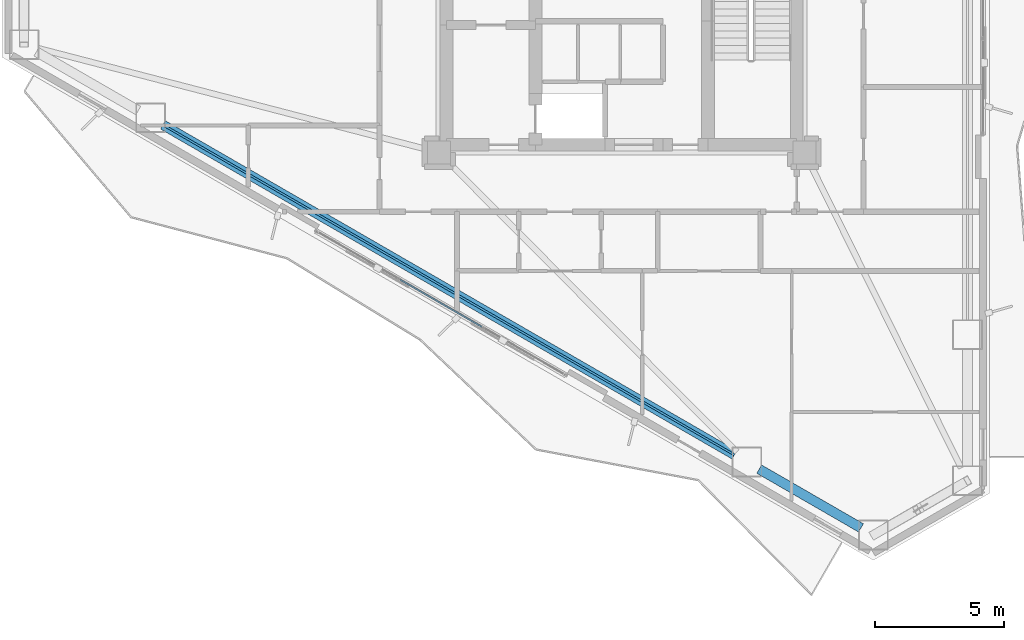
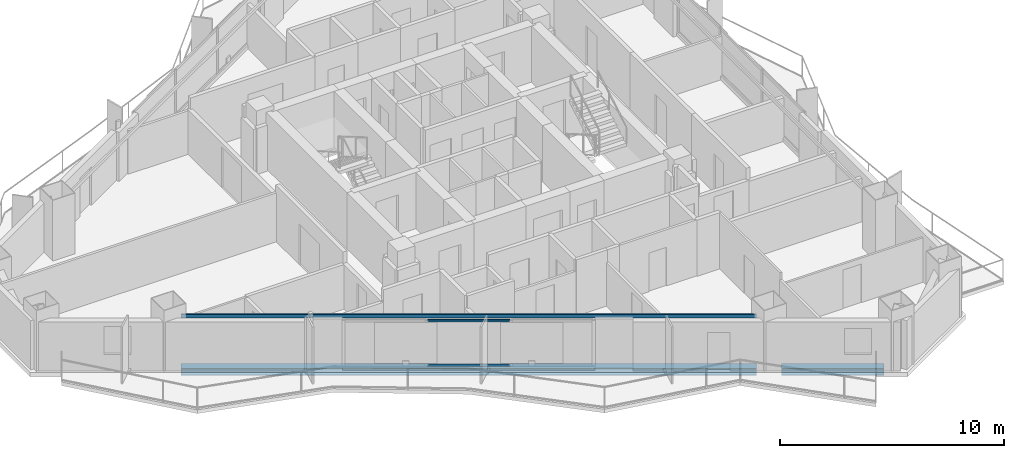
# One storey, part 3 of 22: 3 beams, 2 members, 1 element without a shape of its own.
"""IFC4 building model written with IfcOpenShell, lengths in metres."""

import ifcopenshell
import ifcopenshell.guid

model = None  # the IFC model being written
_history = None  # IfcOwnerHistory: only IFC2X3 demands one
_inside = {}  # id of a spatial element -> (the spatial element, [elements in it])
_under = {}  # id of a project, library or spatial element -> (it, [spatial elements below it])
_declared = {}  # id of a project -> (the project, [libraries it declares])
_typed = {}  # id of a type object -> (the type object, [elements of that type])
_made_of = {}  # id of a material, layer set ... -> (it, [elements and type objects made of it])


def new_model(schema):
    """Start an empty IFC model of exactly this schema.

    Asked for "IFC4X3", IfcOpenShell would pick the latest addendum, in which some entities
    have other attributes; the version numbers below select the first issue.
    IFC2X3 requires an IfcOwnerHistory on every rooted entity: one is made here for all.
    """
    global model, _history
    if schema == "IFC4X3":
        model = ifcopenshell.file(schema_version=(4, 3, 0, 0))
    else:
        model = ifcopenshell.file(schema=schema)
    _inside.clear()
    _under.clear()
    _declared.clear()
    _typed.clear()
    _made_of.clear()
    _history = None
    if model.schema == "IFC2X3":
        org = make("IfcOrganization", Name="unknown")
        user = make(
            "IfcPersonAndOrganization",
            ThePerson=make("IfcPerson", FamilyName="unknown"),
            TheOrganization=org,
        )
        app = make(
            "IfcApplication",
            ApplicationDeveloper=org,
            Version="unknown",
            ApplicationFullName="unknown",
            ApplicationIdentifier="unknown",
        )
        _history = make(
            "IfcOwnerHistory",
            OwningUser=user,
            OwningApplication=app,
            ChangeAction="ADDED",
            CreationDate=0,
        )
    return model


def make(cls, **values):
    """One entity of the class cls with the attributes given. An attribute that is None is left unset."""
    return model.create_entity(
        cls, **{name: value for name, value in values.items() if value is not None}
    )


def rooted(cls, **values):
    """An entity with a GlobalId (a new one), such as an element, a storey or a relation."""
    return make(cls, GlobalId=ifcopenshell.guid.new(), OwnerHistory=_history, **values)


def si_unit(unit_type, name, prefix=None):
    """IfcSIUnit, for example si_unit("LENGTHUNIT", "METRE", prefix="MILLI")."""
    return make("IfcSIUnit", UnitType=unit_type, Prefix=prefix, Name=name)


def assignment(units):
    """IfcUnitAssignment: the units of a project."""
    return None if units is None else make("IfcUnitAssignment", Units=units)


def point(xyz):
    """IfcCartesianPoint."""
    return None if xyz is None else make("IfcCartesianPoint", Coordinates=xyz)


def direction(xyz):
    """IfcDirection."""
    return None if xyz is None else make("IfcDirection", DirectionRatios=xyz)


def frame(location, z_axis=None, x_axis=None):
    """IfcAxis2Placement3D, a coordinate frame: its origin and axes. An axis left out is left unset."""
    return make(
        "IfcAxis2Placement3D",
        Location=point(location),
        Axis=direction(z_axis),
        RefDirection=direction(x_axis),
    )


def frame_2d(location, x_axis=None):
    """IfcAxis2Placement2D, a coordinate frame in the plane: its origin and x axis."""
    return make(
        "IfcAxis2Placement2D", Location=point(location), RefDirection=direction(x_axis)
    )


def origin():
    """The frame at (0, 0, 0) with its axes left unset."""
    return frame((0.0, 0.0, 0.0))


def origin_2d():
    """The frame at (0, 0) in the plane with its x axis left unset."""
    return frame_2d((0.0, 0.0))


def place(relative_to, where):
    """IfcLocalPlacement: puts the frame where relative to a parent placement (None: the world)."""
    return make(
        "IfcLocalPlacement", PlacementRelTo=relative_to, RelativePlacement=where
    )


def context(
    kind, dimensions, precision=None, world=None, true_north=None, identifier=None
):
    """IfcGeometricRepresentationContext, for example the 3D "Model" context."""
    return make(
        "IfcGeometricRepresentationContext",
        ContextIdentifier=identifier,
        ContextType=kind,
        CoordinateSpaceDimension=dimensions,
        Precision=precision,
        WorldCoordinateSystem=world,
        TrueNorth=true_north,
    )


def subcontext(parent, identifier, kind, view, scale=None):
    """IfcGeometricRepresentationSubContext, for example "Body" below "Model"."""
    return make(
        "IfcGeometricRepresentationSubContext",
        ContextIdentifier=identifier,
        ContextType=kind,
        ParentContext=parent,
        TargetScale=scale,
        TargetView=view,
    )


def project(units=None, contexts=None):
    """IfcProject with its units and contexts."""
    return rooted(
        "IfcProject",
        Name="project",
        RepresentationContexts=contexts,
        UnitsInContext=assignment(units),
    )


def spatial(cls, under=None, at=None, **own):
    """A site, building, storey or space (cls), placed at a placement, below another one or the project."""
    s = rooted(cls, ObjectPlacement=at, **own)
    if under is not None:
        _under.setdefault(under.id(), (under, []))[1].append(s)
    return s


def profile(cls, at=None, kind="AREA", **sizes):
    """A parametric profile (cls). Its sizes go by their IFC names, for example OverallWidth=200.0."""
    return make(cls, ProfileType=kind, Position=at, **sizes)


def hollow_rectangle(**sizes):
    """IfcRectangleHollowProfileDef."""
    return profile("IfcRectangleHollowProfileDef", **sizes)


def i_section(**sizes):
    """IfcIShapeProfileDef."""
    return profile("IfcIShapeProfileDef", **sizes)


def extrude(swept, where, along, depth):
    """IfcExtrudedAreaSolid: the profile swept, set in the frame where, extruded along a direction by depth."""
    return make(
        "IfcExtrudedAreaSolid",
        SweptArea=swept,
        Position=where,
        ExtrudedDirection=direction(along),
        Depth=depth,
    )


def shape(context_of_items, identifier, shape_type, items):
    """IfcShapeRepresentation: the items that make up one representation, for example the "Body"."""
    return make(
        "IfcShapeRepresentation",
        ContextOfItems=context_of_items,
        RepresentationIdentifier=identifier,
        RepresentationType=shape_type,
        Items=items,
    )


def material(Name=None, Category=None):
    """IfcMaterial."""
    return make("IfcMaterial", Name=Name, Category=Category)


def layer(
    of_material, thickness, ventilated=None, Name=None, Category=None, Priority=None
):
    """IfcMaterialLayer: one layer of a wall or slab, of a material (None: an air gap)."""
    return make(
        "IfcMaterialLayer",
        Material=of_material,
        LayerThickness=thickness,
        IsVentilated=ventilated,
        Name=Name,
        Category=Category,
        Priority=Priority,
    )


def layer_set(layers, Name=None):
    """IfcMaterialLayerSet."""
    return make("IfcMaterialLayerSet", MaterialLayers=layers, LayerSetName=Name)


def material_profile(
    of_material, cross_section, Name=None, Category=None, Priority=None
):
    """IfcMaterialProfile: a cross section and its material."""
    return make(
        "IfcMaterialProfile",
        Name=Name,
        Material=of_material,
        Profile=cross_section,
        Priority=Priority,
        Category=Category,
    )


def profile_set(profiles, Name=None, composite=None):
    """IfcMaterialProfileSet."""
    return make(
        "IfcMaterialProfileSet",
        Name=Name,
        MaterialProfiles=profiles,
        CompositeProfile=composite,
    )


def made_of(thing, what):
    """Note that an element or type object is made of a material, layer set ...; save() writes the relation."""
    if what is not None:
        _made_of.setdefault(what.id(), (what, []))[1].append(thing)
    return thing


def type_object(cls, material=None, **own):
    """A type object (cls), such as IfcWallType, which elements share."""
    return made_of(rooted(cls, **own), material)


def element(
    cls,
    number,
    at=None,
    inside=None,
    cuts=None,
    type_object=None,
    material=None,
    context=None,
    identifier="Body",
    shape_type=None,
    held_by="IfcProductDefinitionShape",
    body=None,
    shapes=None,
    **own,
):
    """One element of the class cls, such as IfcWall. Its Tag is "e" and its number.

    at: its placement. inside: the storey or other place that contains it. cuts: it is an
    opening in that element (IfcRelVoidsElement). A single representation is given by context,
    identifier, shape_type and body (its items); several are given by shapes. held_by: the class
    of the entity that holds the representations. save() writes the other relations.
    """
    e = rooted(cls, Tag="e%d" % number, ObjectPlacement=at, **own)
    if body is not None:
        shapes = [shape(context, identifier, shape_type, body)]
    if shapes is not None:
        e.Representation = make(held_by, Representations=shapes)
    if inside is not None:
        _inside.setdefault(inside.id(), (inside, []))[1].append(e)
    if cuts is not None:
        rooted(
            "IfcRelVoidsElement", RelatingBuildingElement=cuts, RelatedOpeningElement=e
        )
    if type_object is not None:
        _typed.setdefault(type_object.id(), (type_object, []))[1].append(e)
    return made_of(e, material)


def aggregate(whole, parts):
    """IfcRelAggregates: a whole, such as a stair, and the parts it consists of."""
    return rooted("IfcRelAggregates", RelatingObject=whole, RelatedObjects=parts)


def save(model, path):
    """Write the relations noted so far, then the file.

    IfcRelAggregates (storeys below a building ...), IfcRelContainedInSpatialStructure (elements
    in a storey), IfcRelDefinesByType, IfcRelAssociatesMaterial and IfcRelDeclares: one each for
    every whole, place, type object, material and project.
    """
    for whole, parts in _under.values():
        aggregate(whole, parts)
    for where, things in _inside.values():
        rooted(
            "IfcRelContainedInSpatialStructure",
            RelatedElements=things,
            RelatingStructure=where,
        )
    for kind, things in _typed.values():
        rooted("IfcRelDefinesByType", RelatedObjects=things, RelatingType=kind)
    for what, things in _made_of.values():
        rooted("IfcRelAssociatesMaterial", RelatedObjects=things, RelatingMaterial=what)
    for by, libraries in _declared.values():
        rooted("IfcRelDeclares", RelatingContext=by, RelatedDefinitions=libraries)
    model.write(path)


model = new_model("IFC4")

# Units and contexts
model_context = context("Model", 3, precision=1e-05, world=origin(), true_north=direction((0.0, 1.0)))
body_context = subcontext(model_context, "Body", "Model", "MODEL_VIEW")
ifc_project = project(units=[si_unit("LENGTHUNIT", "METRE"), si_unit("AREAUNIT", "SQUARE_METRE"), si_unit("VOLUMEUNIT", "CUBIC_METRE"), si_unit("PLANEANGLEUNIT", "RADIAN"), si_unit("MASSUNIT", "GRAM", prefix="KILO")], contexts=[model_context])

# Site, building, storey
site_placement = place(None, origin())
site = spatial("IfcSite", under=ifc_project, at=site_placement, CompositionType="ELEMENT")
building_placement = place(site_placement, origin())
building = spatial("IfcBuilding", under=site, at=building_placement, Name="Mersakhor Tower and Convention Hall", CompositionType="ELEMENT")
storey_placement = place(building_placement, frame((0.0, 0.0, 83.39990234375)))
storey = spatial("IfcBuildingStorey", under=building, at=storey_placement, Name="L22", CompositionType="ELEMENT", Elevation=83.39990234375)

# Beams
ifc_material_1 = material(Name="Steel S355", Category="steel")
ifc_material_profile_1 = material_profile(ifc_material_1, hollow_rectangle(XDim=0.080078125, YDim=0.179931640625, WallThickness=0.008056640625, at=origin_2d()), Name="RHS 180x80x8")
ifc_profile_set_1 = profile_set([ifc_material_profile_1], Name="Steel S355")
beam_type_1 = type_object("IfcBeamType", Name="BM-GRT-RHS180", PredefinedType="USERDEFINED", material=ifc_profile_set_1)
beam_1_placement = place(storey_placement, frame((33.38232421875, 8.706787109375, 2.47998046875), z_axis=(-0.866022538643, 0.500004962538, 0.0), x_axis=(-0.500004962538, -0.866022538643, 0.0)))
element("IfcBeam", 1, at=beam_1_placement, inside=storey, type_object=beam_type_1, Name="L22 Facade Support Girt GRT-F3", ObjectType="GIRT", PredefinedType="USERDEFINED", context=body_context, shape_type="SweptSolid", body=[
    extrude(hollow_rectangle(XDim=0.080078125, YDim=0.179931640625, WallThickness=0.008056640625, at=origin_2d()), origin(), (0.0, 0.0, 1.0), 25.633544921875),
])
ifc_material_2 = material(Name="Steel S355", Category="steel")
ifc_material_profile_2 = material_profile(ifc_material_2, i_section(OverallWidth=0.374755859375, OverallDepth=0.37451171875, WebThickness=0.0166015625, FlangeThickness=0.027099609375, at=origin_2d()), Name="UC 356x368x202")
ifc_profile_set_2 = profile_set([ifc_material_profile_2], Name="Steel S355")
beam_type_2 = type_object("IfcBeamType", Name="BM-SPD-UC356", PredefinedType="SPANDREL", material=ifc_profile_set_2)
beam_2_placement = place(storey_placement, frame((38.298095703125, 5.868896484375, -0.437255859375), z_axis=(-0.866046694585, 0.499963121439, 0.0), x_axis=(-0.499963121439, -0.866046694585, 0.0)))
element("IfcBeam", 2, at=beam_2_placement, inside=storey, type_object=beam_type_2, Name="L22 Perimeter Spandrel Beam SPB-09", PredefinedType="SPANDREL", context=body_context, shape_type="SweptSolid", body=[
    extrude(i_section(OverallWidth=0.374755859375, OverallDepth=0.37451171875, WebThickness=0.0166015625, FlangeThickness=0.027099609375, at=origin_2d()), origin(), (0.0, 0.0, 1.0), 4.566162109375),
])
beam_3_placement = place(storey_placement, frame((33.38232421875, 8.706787109375, -0.437255859375), z_axis=(-0.866022538643, 0.500004962538, 0.0), x_axis=(-0.500004962538, -0.866022538643, 0.0)))
element("IfcBeam", 3, at=beam_3_placement, inside=storey, type_object=beam_type_2, Name="L22 Perimeter Spandrel Beam SPB-10", PredefinedType="SPANDREL", context=body_context, shape_type="SweptSolid", body=[
    extrude(i_section(OverallWidth=0.374755859375, OverallDepth=0.37451171875, WebThickness=0.0166015625, FlangeThickness=0.027099609375, at=origin_2d()), origin(), (0.0, 0.0, 1.0), 25.633544921875),
])

# Curtain wall, members
ifc_material_3 = material(Name="Dark solar low-E aluminium curtain wall", Category="aluminium")
ifc_layer = layer(ifc_material_3, 0.159912109375)
ifc_layer_set = layer_set([ifc_layer], Name="Dark solar low-E aluminium curtain wall")
curtain_wall_type = type_object("IfcCurtainWallType", Name="CW-SYS-01", PredefinedType="USERDEFINED", material=ifc_layer_set)
curtain_wall_placement = place(storey_placement, origin())
curtain_wall = element("IfcCurtainWall", 4, at=curtain_wall_placement, inside=storey, type_object=curtain_wall_type, Name="L22 Dark-Glass Curtain Wall F3-B2", ObjectType="CURTAIN WALL", PredefinedType="USERDEFINED")
ifc_material_4 = material(Name="Anodised aluminium EN AW-6063 T6", Category="aluminium")
ifc_material_profile_3 = material_profile(ifc_material_4, hollow_rectangle(XDim=0.06005859375, YDim=0.1201171875, WallThickness=0.0048828125, at=origin_2d()), Name="RHS 120x60x5")
ifc_profile_set_3 = profile_set([ifc_material_profile_3], Name="Anodised aluminium EN AW-6063 T6")
member_type = type_object("IfcMemberType", Name="CWT-120x60", PredefinedType="USERDEFINED", material=ifc_profile_set_3)
member_1_placement = place(storey_placement, frame((23.571044921875, 13.6787109375, 0.22998046875), z_axis=(-0.866039286129, 0.499975954304, 0.0), x_axis=(-0.499975954304, -0.866039286129, 0.0)))
member_1 = element("IfcMember", 5, at=member_1_placement, type_object=member_type, Name="CW-01 transom 2.1", ObjectType="TRANSOM", PredefinedType="USERDEFINED", context=body_context, shape_type="SweptSolid", body=[
    extrude(hollow_rectangle(XDim=0.06005859375, YDim=0.1201171875, WallThickness=0.0048828125, at=origin_2d()), origin(), (0.0, 0.0, 1.0), 3.668212890625),
])
member_2_placement = place(storey_placement, frame((23.571044921875, 13.6787109375, 2.64013671875), z_axis=(-0.866039286129, 0.499975954304, 0.0), x_axis=(-0.499975954304, -0.866039286129, 0.0)))
member_2 = element("IfcMember", 6, at=member_2_placement, type_object=member_type, Name="CW-01 transom 2.2", ObjectType="TRANSOM", PredefinedType="USERDEFINED", context=body_context, shape_type="SweptSolid", body=[
    extrude(hollow_rectangle(XDim=0.06005859375, YDim=0.1201171875, WallThickness=0.0048828125, at=origin_2d()), origin(), (0.0, 0.0, 1.0), 3.668212890625),
])
aggregate(curtain_wall, [member_1, member_2])

save(model, "model.ifc")
